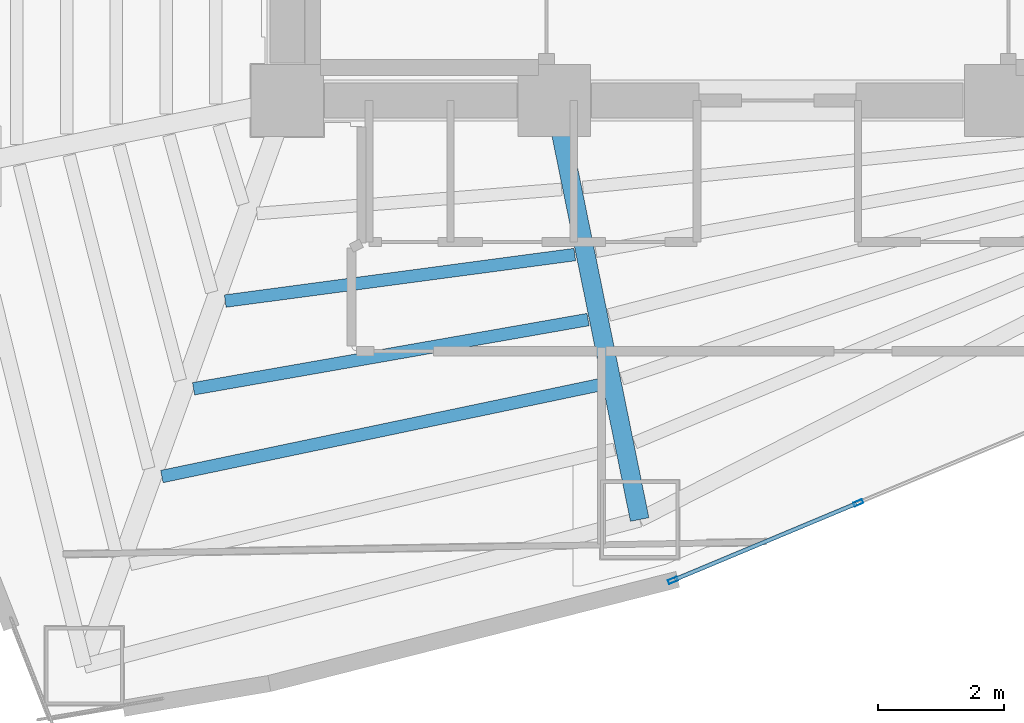
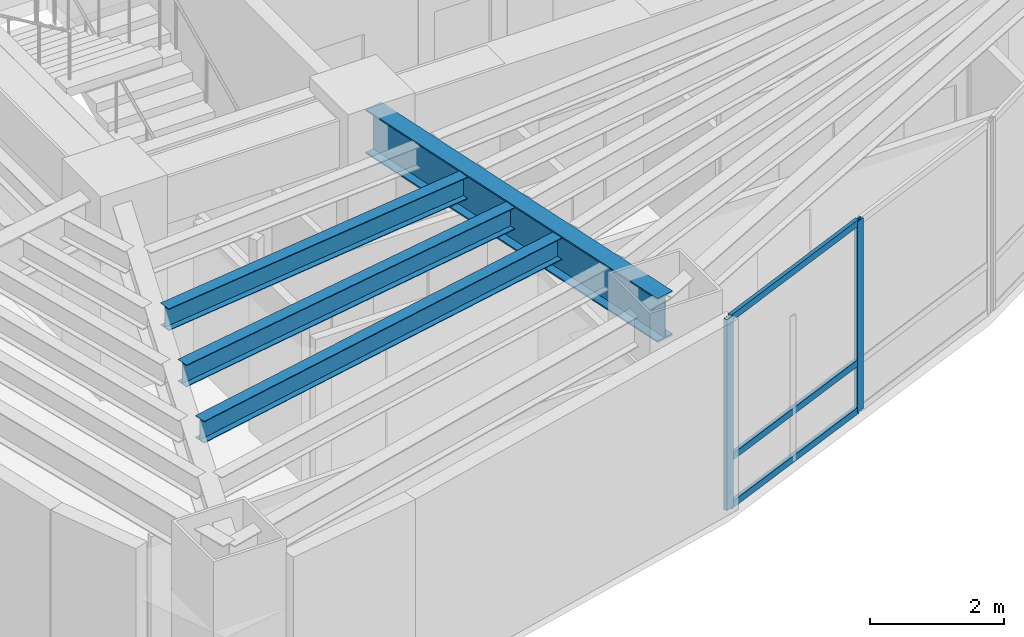
# One storey, part 2 of 19: 5 members, 4 beams, 1 element without a shape of its own.
"""IFC4 building model written with IfcOpenShell, lengths in metres."""

from ifc_helpers import new_model, si_unit, direction, frame, origin, origin_2d, place, context, subcontext, project, spatial, hollow_rectangle, i_section, extrude, material, layer, layer_set, material_profile, profile_set, type_object, element, aggregate, save


model = new_model("IFC4")

# Units and contexts
model_context = context("Model", 3, precision=1e-05, world=origin(), true_north=direction((0.0, 1.0)))
body_context = subcontext(model_context, "Body", "Model", "MODEL_VIEW")
ifc_project = project(units=[si_unit("LENGTHUNIT", "METRE"), si_unit("AREAUNIT", "SQUARE_METRE"), si_unit("VOLUMEUNIT", "CUBIC_METRE"), si_unit("PLANEANGLEUNIT", "RADIAN"), si_unit("MASSUNIT", "GRAM", prefix="KILO")], contexts=[model_context])

# Site, building, storey
site_placement = place(None, origin())
site = spatial("IfcSite", under=ifc_project, at=site_placement, CompositionType="ELEMENT")
building_placement = place(site_placement, origin())
building = spatial("IfcBuilding", under=site, at=building_placement, Name="Menara Vayukalpa", CompositionType="ELEMENT")
storey_placement = place(building_placement, frame((0.0, 0.0, 122.580078125)))
storey = spatial("IfcBuildingStorey", under=building, at=storey_placement, Name="L30", CompositionType="ELEMENT", Elevation=122.580078125)

# Beams
ifc_material_1 = material(Name="Steel S355", Category="steel")
ifc_material_profile_1 = material_profile(ifc_material_1, i_section(OverallWidth=0.300048828125, OverallDepth=0.800048828125, WebThickness=0.013916015625, FlangeThickness=0.02587890625, at=origin_2d()), Name="WF 800x300x14x26")
ifc_profile_set_1 = profile_set([ifc_material_profile_1], Name="Steel S355")
beam_type_1 = type_object("IfcBeamType", Name="BM-PG3", PredefinedType="BEAM", material=ifc_profile_set_1)
beam_1_placement = place(storey_placement, frame((22.099853515625, 16.955078125, 3.06982421875), z_axis=(0.199617728418, -0.9798738503, 0.0), x_axis=(0.9798738503, 0.199617728418, 0.0)))
element("IfcBeam", 1, at=beam_1_placement, inside=storey, type_object=beam_type_1, Name="L30 Primary Radial Girder RG08", PredefinedType="BEAM", context=body_context, shape_type="SweptSolid", body=[
    extrude(i_section(OverallWidth=0.300048828125, OverallDepth=0.800048828125, WebThickness=0.013916015625, FlangeThickness=0.02587890625, at=origin_2d()), origin(), (0.0, 0.0, 1.0), 6.55419921875),
])
ifc_material_2 = material(Name="Steel S355", Category="steel")
ifc_material_profile_2 = material_profile(ifc_material_2, i_section(OverallWidth=0.199951171875, OverallDepth=0.39990234375, WebThickness=0.008056640625, FlangeThickness=0.012939453125, at=origin_2d()), Name="WF 400x200x8x13")
ifc_profile_set_2 = profile_set([ifc_material_profile_2], Name="Steel S355")
beam_type_2 = type_object("IfcBeamType", Name="BM-SJ2", PredefinedType="JOIST", material=ifc_profile_set_2)
beam_2_placement = place(storey_placement, frame((16.814208984375, 14.008056640625, 3.27001953125), z_axis=(0.991248408809, 0.132009817941, 0.0), x_axis=(-0.132009817941, 0.991248408809, 0.0)))
element("IfcBeam", 2, at=beam_2_placement, inside=storey, type_object=beam_type_2, Name="L30 Secondary Floor Joist SJ07-2", PredefinedType="JOIST", context=body_context, shape_type="SweptSolid", body=[
    extrude(i_section(OverallWidth=0.199951171875, OverallDepth=0.39990234375, WebThickness=0.008056640625, FlangeThickness=0.012939453125, at=origin_2d()), origin(), (0.0, 0.0, 1.0), 5.611083984375),
])
beam_3_placement = place(storey_placement, frame((16.309814453125, 12.613037109375, 3.27001953125), z_axis=(0.984953935883, 0.172817083033, 0.0), x_axis=(-0.172817083033, 0.984953935883, 0.0)))
element("IfcBeam", 3, at=beam_3_placement, inside=storey, type_object=beam_type_2, Name="L30 Secondary Floor Joist SJ07-3", PredefinedType="JOIST", context=body_context, shape_type="SweptSolid", body=[
    extrude(i_section(OverallWidth=0.199951171875, OverallDepth=0.39990234375, WebThickness=0.008056640625, FlangeThickness=0.012939453125, at=origin_2d()), origin(), (0.0, 0.0, 1.0), 6.372802734375),
])
beam_4_placement = place(storey_placement, frame((15.805419921875, 11.216552734375, 3.27001953125), z_axis=(0.978749487369, 0.205059603471, 0.0), x_axis=(-0.205059603471, 0.978749487369, 0.0)))
element("IfcBeam", 4, at=beam_4_placement, inside=storey, type_object=beam_type_2, Name="L30 Secondary Floor Joist SJ07-4", PredefinedType="JOIST", context=body_context, shape_type="SweptSolid", body=[
    extrude(i_section(OverallWidth=0.199951171875, OverallDepth=0.39990234375, WebThickness=0.008056640625, FlangeThickness=0.012939453125, at=origin_2d()), origin(), (0.0, 0.0, 1.0), 7.1435546875),
])

# Curtain wall, members
ifc_material_3 = material(Name="Anodised Terracotta Aluminium Alloy 6063-T6", Category="masonry")
ifc_layer = layer(ifc_material_3, 0.14990234375)
ifc_layer_set = layer_set([ifc_layer], Name="Anodised Terracotta Aluminium Alloy 6063-T6")
curtain_wall_type = type_object("IfcCurtainWallType", Name="CW-CW3", PredefinedType="USERDEFINED", material=ifc_layer_set)
curtain_wall_placement = place(storey_placement, origin())
curtain_wall = element("IfcCurtainWall", 5, at=curtain_wall_placement, inside=storey, type_object=curtain_wall_type, Name="L30 Mid Rise Terracotta Ribbon Curtain Wall CW3 16", ObjectType="UNITISED", PredefinedType="USERDEFINED")
ifc_material_4 = material(Name="Anodised Terracotta Aluminium Alloy 6063-T6", Category="masonry")
ifc_material_profile_3 = material_profile(ifc_material_4, hollow_rectangle(XDim=0.06494140625, YDim=0.14990234375, WallThickness=0.00341796875, at=origin_2d()), Name="ALU 65x150x3.5")
ifc_profile_set_3 = profile_set([ifc_material_profile_3], Name="Anodised Terracotta Aluminium Alloy 6063-T6")
member_type_1 = type_object("IfcMemberType", Name="CWM-CW3", PredefinedType="MULLION", material=ifc_profile_set_3)
member_1_placement = place(storey_placement, frame((23.9375, 9.56494140625, 0.0), z_axis=(0.0, 0.0, 1.0), x_axis=(-0.38589358437, 0.922543300632, 0.0)))
member_1 = element("IfcMember", 6, at=member_1_placement, type_object=member_type_1, Name="CW3 mullion 1", PredefinedType="MULLION", context=body_context, shape_type="SweptSolid", body=[
    extrude(hollow_rectangle(XDim=0.06494140625, YDim=0.14990234375, WallThickness=0.00341796875, at=origin_2d()), origin(), (0.0, 0.0, 1.0), 3.469970703125),
])
member_2_placement = place(storey_placement, frame((26.88671875, 10.798583984375, 0.0), z_axis=(0.0, 0.0, 1.0), x_axis=(-0.38589358437, 0.922543300632, 0.0)))
member_2 = element("IfcMember", 7, at=member_2_placement, type_object=member_type_1, Name="CW3 mullion 2", PredefinedType="MULLION", context=body_context, shape_type="SweptSolid", body=[
    extrude(hollow_rectangle(XDim=0.06494140625, YDim=0.14990234375, WallThickness=0.00341796875, at=origin_2d()), origin(), (0.0, 0.0, 1.0), 3.469970703125),
])
ifc_material_5 = material(Name="Anodised Terracotta Aluminium Alloy 6063-T6", Category="masonry")
ifc_material_profile_4 = material_profile(ifc_material_5, hollow_rectangle(XDim=0.06494140625, YDim=0.1201171875, WallThickness=0.00341796875, at=origin_2d()), Name="ALU 65x120x3.5")
ifc_profile_set_4 = profile_set([ifc_material_profile_4], Name="Anodised Terracotta Aluminium Alloy 6063-T6")
member_type_2 = type_object("IfcMemberType", Name="CWT-CW3", PredefinedType="USERDEFINED", material=ifc_profile_set_4)
member_3_placement = place(storey_placement, frame((23.96728515625, 9.577392578125, 0.032470703125), z_axis=(0.922529423765, 0.385926757673, 0.0), x_axis=(-0.385926757673, 0.922529423765, 0.0)))
member_3 = element("IfcMember", 8, at=member_3_placement, type_object=member_type_2, Name="CW3 transom 1.1", ObjectType="TRANSOM", PredefinedType="USERDEFINED", context=body_context, shape_type="SweptSolid", body=[
    extrude(hollow_rectangle(XDim=0.06494140625, YDim=0.1201171875, WallThickness=0.00341796875, at=origin_2d()), origin(), (0.0, 0.0, 1.0), 3.132080078125),
])
member_4_placement = place(storey_placement, frame((23.96728515625, 9.577392578125, 0.89990234375), z_axis=(0.922529423765, 0.385926757673, 0.0), x_axis=(-0.385926757673, 0.922529423765, 0.0)))
member_4 = element("IfcMember", 9, at=member_4_placement, type_object=member_type_2, Name="CW3 transom 1.2", ObjectType="TRANSOM", PredefinedType="USERDEFINED", context=body_context, shape_type="SweptSolid", body=[
    extrude(hollow_rectangle(XDim=0.06494140625, YDim=0.1201171875, WallThickness=0.00341796875, at=origin_2d()), origin(), (0.0, 0.0, 1.0), 3.132080078125),
])
member_5_placement = place(storey_placement, frame((23.96728515625, 9.577392578125, 3.4375), z_axis=(0.922529423765, 0.385926757673, 0.0), x_axis=(-0.385926757673, 0.922529423765, 0.0)))
member_5 = element("IfcMember", 10, at=member_5_placement, type_object=member_type_2, Name="CW3 transom 1.3", ObjectType="TRANSOM", PredefinedType="USERDEFINED", context=body_context, shape_type="SweptSolid", body=[
    extrude(hollow_rectangle(XDim=0.06494140625, YDim=0.1201171875, WallThickness=0.00341796875, at=origin_2d()), origin(), (0.0, 0.0, 1.0), 3.132080078125),
])
aggregate(curtain_wall, [member_1, member_2, member_3, member_4, member_5])

save(model, "model.ifc")
